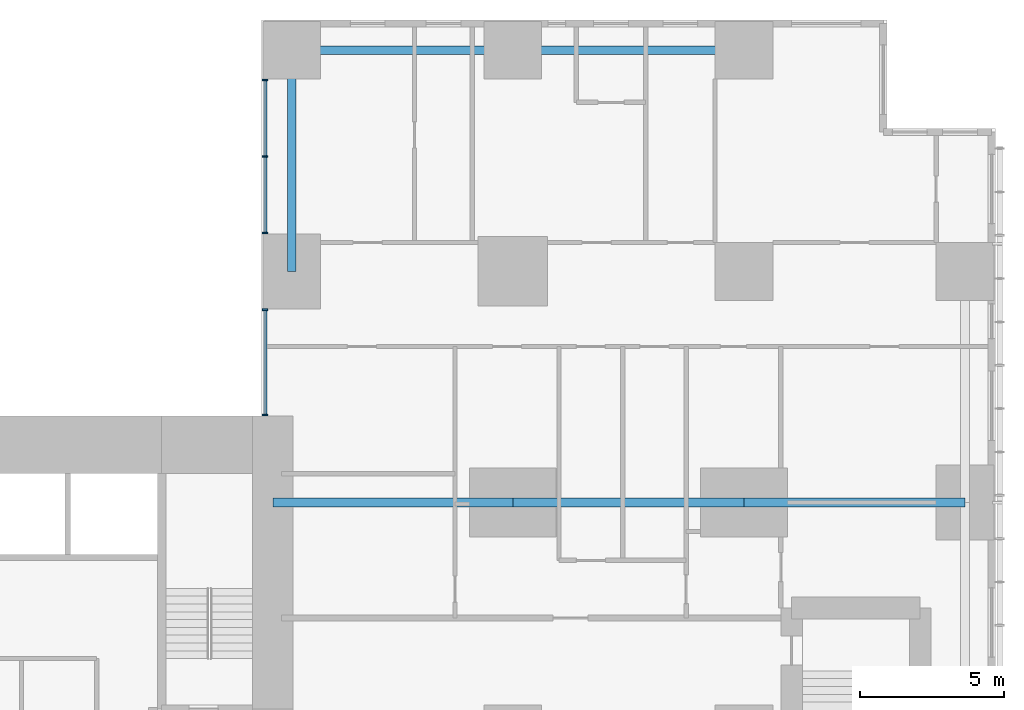
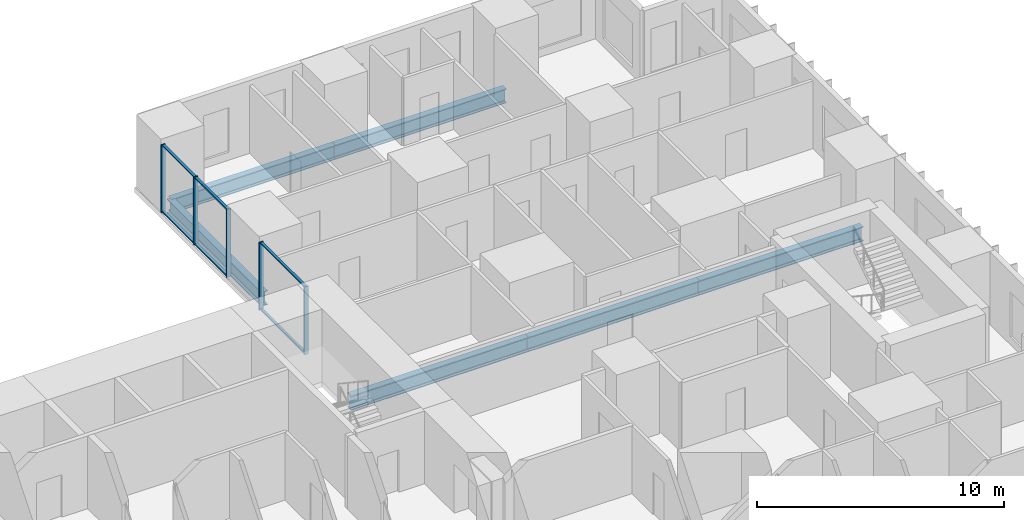
# One storey, part 5 of 20: 11 members, 6 beams, 2 elements without a shape of their own.
"""IFC4 building model written with IfcOpenShell, lengths in metres."""

from ifc_helpers import new_model, si_unit, direction, frame, origin, origin_2d, place, context, subcontext, project, spatial, rectangle, i_section, extrude, material, layer, layer_set, material_profile, profile_set, type_object, element, aggregate, save


model = new_model("IFC4")

# Units and contexts
model_context = context("Model", 3, precision=1e-05, world=origin(), true_north=direction((0.0, 1.0)))
body_context = subcontext(model_context, "Body", "Model", "MODEL_VIEW")
ifc_project = project(units=[si_unit("LENGTHUNIT", "METRE"), si_unit("AREAUNIT", "SQUARE_METRE"), si_unit("VOLUMEUNIT", "CUBIC_METRE"), si_unit("PLANEANGLEUNIT", "RADIAN"), si_unit("MASSUNIT", "GRAM", prefix="KILO")], contexts=[model_context])

# Site, building, storey
site_placement = place(None, origin())
site = spatial("IfcSite", under=ifc_project, at=site_placement, CompositionType="ELEMENT")
building_placement = place(site_placement, origin())
building = spatial("IfcBuilding", under=site, at=building_placement, Name="Cleftline Residences", CompositionType="ELEMENT")
storey_placement = place(building_placement, frame((0.0, 0.0, 114.199951171875)))
storey = spatial("IfcBuildingStorey", under=building, at=storey_placement, Name="L29", CompositionType="ELEMENT", Elevation=114.199951171875)

# Beams
ifc_material_1 = material(Name="Steel S355", Category="steel")
ifc_material_profile_1 = material_profile(ifc_material_1, i_section(OverallWidth=0.300048828125, OverallDepth=0.699951171875, WebThickness=0.01708984375, FlangeThickness=0.031982421875, FilletRadius=0.027099609375, at=origin_2d()))
ifc_profile_set_1 = profile_set([ifc_material_profile_1], Name="Steel S355")
beam_type_1 = type_object("IfcBeamType", Name="BEAM HEB 700", PredefinedType="BEAM", material=ifc_profile_set_1)
beam_1_placement = place(storey_placement, frame((58.0, 47.64990234375, -0.599853515625), z_axis=(-1.0, 0.0, 0.0), x_axis=(0.0, -1.0, 0.0)))
element("IfcBeam", 1, at=beam_1_placement, inside=storey, type_object=beam_type_1, Name="Edge beam", PredefinedType="BEAM", context=body_context, shape_type="SweptSolid", body=[
    extrude(i_section(OverallWidth=0.300048828125, OverallDepth=0.699951171875, WebThickness=0.01708984375, FlangeThickness=0.031982421875, FilletRadius=0.027099609375, at=origin_2d()), origin(), (0.0, 0.0, 1.0), 8.0),
])
for number, where, z_axis, x_axis, name in (
    (2, (50.0, 47.64990234375, -0.599853515625), (-1.0, 0.0, 0.0), (0.0, -1.0, 0.0), "Edge beam"),
    (3, (42.35009765625, 47.64990234375, -0.599853515625), (0.0, -1.0, 0.0), (1.0, 0.0, 0.0), "Edge beam"),
):
    element("IfcBeam", number, at=place(storey_placement, frame(where, z_axis=z_axis, x_axis=x_axis)), inside=storey, type_object=beam_type_1, Name=name, PredefinedType="BEAM", context=body_context, shape_type="SweptSolid", body=[
        extrude(i_section(OverallWidth=0.300048828125, OverallDepth=0.699951171875, WebThickness=0.01708984375, FlangeThickness=0.031982421875, FilletRadius=0.027099609375, at=origin_2d()), origin(), (0.0, 0.0, 1.0), 7.64990234375),
    ])
ifc_material_2 = material(Name="Steel S355", Category="steel")
ifc_material_profile_2 = material_profile(ifc_material_2, i_section(OverallWidth=0.303955078125, OverallDepth=0.716064453125, WebThickness=0.02099609375, FlangeThickness=0.0400390625, FilletRadius=0.027099609375, at=origin_2d()))
ifc_profile_set_2 = profile_set([ifc_material_profile_2], Name="Steel S355")
beam_type_2 = type_object("IfcBeamType", Name="BEAM HEM 700", PredefinedType="BEAM", material=ifc_profile_set_2)
beam_2_placement = place(storey_placement, frame((65.64990234375, 32.0, -0.60791015625), z_axis=(-1.0, 0.0, 0.0), x_axis=(0.0, -1.0, 0.0)))
element("IfcBeam", 4, at=beam_2_placement, inside=storey, type_object=beam_type_2, Name="Band beam", PredefinedType="BEAM", context=body_context, shape_type="SweptSolid", body=[
    extrude(i_section(OverallWidth=0.303955078125, OverallDepth=0.716064453125, WebThickness=0.02099609375, FlangeThickness=0.0400390625, FilletRadius=0.027099609375, at=origin_2d()), origin(), (0.0, 0.0, 1.0), 7.64990234375),
])
beam_3_placement = place(storey_placement, frame((58.0, 32.0, -0.60791015625), z_axis=(-1.0, 0.0, 0.0), x_axis=(0.0, -1.0, 0.0)))
element("IfcBeam", 5, at=beam_3_placement, inside=storey, type_object=beam_type_2, Name="Band beam", PredefinedType="BEAM", context=body_context, shape_type="SweptSolid", body=[
    extrude(i_section(OverallWidth=0.303955078125, OverallDepth=0.716064453125, WebThickness=0.02099609375, FlangeThickness=0.0400390625, FilletRadius=0.027099609375, at=origin_2d()), origin(), (0.0, 0.0, 1.0), 8.0),
])
beam_4_placement = place(storey_placement, frame((50.0, 32.0, -0.60791015625), z_axis=(-1.0, 0.0, 0.0), x_axis=(0.0, -1.0, 0.0)))
element("IfcBeam", 6, at=beam_4_placement, inside=storey, type_object=beam_type_2, Name="Band beam", PredefinedType="BEAM", context=body_context, shape_type="SweptSolid", body=[
    extrude(i_section(OverallWidth=0.303955078125, OverallDepth=0.716064453125, WebThickness=0.02099609375, FlangeThickness=0.0400390625, FilletRadius=0.027099609375, at=origin_2d()), origin(), (0.0, 0.0, 1.0), 8.300048828125),
])

# Curtain wall, members
ifc_material_3 = material(Name="Aluminium framed curtain wall", Category="aluminium")
ifc_layer = layer(ifc_material_3, 0.199951171875)
ifc_layer_set = layer_set([ifc_layer], Name="CW1 CLEFT GLAZING")
curtain_wall_type = type_object("IfcCurtainWallType", Name="CW1 CLEFT GLAZING", PredefinedType="NOTDEFINED", material=ifc_layer_set)
curtain_wall_1_placement = place(storey_placement, origin())
curtain_wall_1 = element("IfcCurtainWall", 7, at=curtain_wall_1_placement, inside=storey, type_object=curtain_wall_type, Name="Curtain wall CW1", PredefinedType="NOTDEFINED")
ifc_material_4 = material(Name="Aluminium mullion", Category="aluminium")
ifc_material_profile_3 = material_profile(ifc_material_4, rectangle(XDim=0.199951171875, YDim=0.06005859375, at=origin_2d()))
ifc_profile_set_3 = profile_set([ifc_material_profile_3], Name="Aluminium mullion")
member_type_1 = type_object("IfcMemberType", Name="CW1 MULLION", PredefinedType="MULLION", material=ifc_profile_set_3)
member_1_placement = place(storey_placement, frame((41.425048828125, 46.6201171875, 0.0), z_axis=(0.0, 0.0, 1.0), x_axis=(1.0, 0.0, 0.0)))
member_1 = element("IfcMember", 8, at=member_1_placement, type_object=member_type_1, Name="CW1 mullion 1", PredefinedType="MULLION", context=body_context, shape_type="SweptSolid", body=[
    extrude(rectangle(XDim=0.199951171875, YDim=0.06005859375, at=origin_2d()), origin(), (0.0, 0.0, 1.0), 3.35009765625),
])
member_2_placement = place(storey_placement, frame((41.425048828125, 43.97509765625, 0.0), z_axis=(0.0, 0.0, 1.0), x_axis=(1.0, 0.0, 0.0)))
member_2 = element("IfcMember", 9, at=member_2_placement, type_object=member_type_1, Name="CW1 mullion 2", PredefinedType="MULLION", context=body_context, shape_type="SweptSolid", body=[
    extrude(rectangle(XDim=0.199951171875, YDim=0.06005859375, at=origin_2d()), origin(), (0.0, 0.0, 1.0), 3.35009765625),
])
member_3_placement = place(storey_placement, frame((41.425048828125, 41.330078125, 0.0), z_axis=(0.0, 0.0, 1.0), x_axis=(1.0, 0.0, 0.0)))
member_3 = element("IfcMember", 10, at=member_3_placement, type_object=member_type_1, Name="CW1 mullion 3", PredefinedType="MULLION", context=body_context, shape_type="SweptSolid", body=[
    extrude(rectangle(XDim=0.199951171875, YDim=0.06005859375, at=origin_2d()), origin(), (0.0, 0.0, 1.0), 3.35009765625),
])

curtain_wall_2_placement = place(storey_placement, origin())
curtain_wall_2 = element("IfcCurtainWall", 11, at=curtain_wall_2_placement, inside=storey, type_object=curtain_wall_type, Name="Curtain wall CW1", PredefinedType="NOTDEFINED")
member_4_placement = place(storey_placement, frame((41.425048828125, 38.669921875, 0.0), z_axis=(0.0, 0.0, 1.0), x_axis=(1.0, 0.0, 0.0)))
member_4 = element("IfcMember", 12, at=member_4_placement, type_object=member_type_1, Name="CW1 mullion 1", PredefinedType="MULLION", context=body_context, shape_type="SweptSolid", body=[
    extrude(rectangle(XDim=0.199951171875, YDim=0.06005859375, at=origin_2d()), origin(), (0.0, 0.0, 1.0), 3.35009765625),
])
member_5_placement = place(storey_placement, frame((41.425048828125, 35.030029296875, 0.0), z_axis=(0.0, 0.0, 1.0), x_axis=(1.0, 0.0, 0.0)))
member_5 = element("IfcMember", 13, at=member_5_placement, type_object=member_type_1, Name="CW1 mullion 2", PredefinedType="MULLION", context=body_context, shape_type="SweptSolid", body=[
    extrude(rectangle(XDim=0.199951171875, YDim=0.06005859375, at=origin_2d()), origin(), (0.0, 0.0, 1.0), 3.35009765625),
])

# Member
ifc_material_5 = material(Name="Aluminium transom", Category="aluminium")
ifc_material_profile_4 = material_profile(ifc_material_5, rectangle(XDim=0.1201171875, YDim=0.06005859375, at=origin_2d()))
ifc_profile_set_4 = profile_set([ifc_material_profile_4], Name="Aluminium transom")
member_type_2 = type_object("IfcMemberType", Name="CW1 TRANSOM", PredefinedType="USERDEFINED", material=ifc_profile_set_4)
member_6_placement = place(storey_placement, frame((41.425048828125, 46.590087890625, 0.030029296875), z_axis=(0.0, -1.0, 0.0), x_axis=(1.0, 0.0, 0.0)))
member_6 = element("IfcMember", 14, at=member_6_placement, type_object=member_type_2, Name="CW1 transom 1.1", ObjectType="TRANSOM", PredefinedType="USERDEFINED", context=body_context, shape_type="SweptSolid", body=[
    extrude(rectangle(XDim=0.1201171875, YDim=0.06005859375, at=origin_2d()), origin(), (0.0, 0.0, 1.0), 2.585205078125),
])

member_7_placement = place(storey_placement, frame((41.425048828125, 46.590087890625, 3.320068359375), z_axis=(0.0, -1.0, 0.0), x_axis=(1.0, 0.0, 0.0)))
member_7 = element("IfcMember", 15, at=member_7_placement, type_object=member_type_2, Name="CW1 transom 1.2", ObjectType="TRANSOM", PredefinedType="USERDEFINED", context=body_context, shape_type="SweptSolid", body=[
    extrude(rectangle(XDim=0.1201171875, YDim=0.06005859375, at=origin_2d()), origin(), (0.0, 0.0, 1.0), 2.585205078125),
])

member_8_placement = place(storey_placement, frame((41.425048828125, 43.945068359375, 0.030029296875), z_axis=(0.0, -1.0, 0.0), x_axis=(1.0, 0.0, 0.0)))
member_8 = element("IfcMember", 16, at=member_8_placement, type_object=member_type_2, Name="CW1 transom 2.1", ObjectType="TRANSOM", PredefinedType="USERDEFINED", context=body_context, shape_type="SweptSolid", body=[
    extrude(rectangle(XDim=0.1201171875, YDim=0.06005859375, at=origin_2d()), origin(), (0.0, 0.0, 1.0), 2.5849609375),
])

member_9_placement = place(storey_placement, frame((41.425048828125, 43.945068359375, 3.320068359375), z_axis=(0.0, -1.0, 0.0), x_axis=(1.0, 0.0, 0.0)))
member_9 = element("IfcMember", 17, at=member_9_placement, type_object=member_type_2, Name="CW1 transom 2.2", ObjectType="TRANSOM", PredefinedType="USERDEFINED", context=body_context, shape_type="SweptSolid", body=[
    extrude(rectangle(XDim=0.1201171875, YDim=0.06005859375, at=origin_2d()), origin(), (0.0, 0.0, 1.0), 2.5849609375),
])

aggregate(curtain_wall_1, [member_1, member_2, member_3, member_6, member_7, member_8, member_9])

member_10_placement = place(storey_placement, frame((41.425048828125, 38.639892578125, 0.030029296875), z_axis=(0.0, -1.0, 0.0), x_axis=(1.0, 0.0, 0.0)))
member_10 = element("IfcMember", 18, at=member_10_placement, type_object=member_type_2, Name="CW1 transom 1.1", ObjectType="TRANSOM", PredefinedType="USERDEFINED", context=body_context, shape_type="SweptSolid", body=[
    extrude(rectangle(XDim=0.1201171875, YDim=0.06005859375, at=origin_2d()), origin(), (0.0, 0.0, 1.0), 3.579833984375),
])

member_11_placement = place(storey_placement, frame((41.425048828125, 38.639892578125, 3.320068359375), z_axis=(0.0, -1.0, 0.0), x_axis=(1.0, 0.0, 0.0)))
member_11 = element("IfcMember", 19, at=member_11_placement, type_object=member_type_2, Name="CW1 transom 1.2", ObjectType="TRANSOM", PredefinedType="USERDEFINED", context=body_context, shape_type="SweptSolid", body=[
    extrude(rectangle(XDim=0.1201171875, YDim=0.06005859375, at=origin_2d()), origin(), (0.0, 0.0, 1.0), 3.579833984375),
])

aggregate(curtain_wall_2, [member_4, member_5, member_10, member_11])

save(model, "model.ifc")
